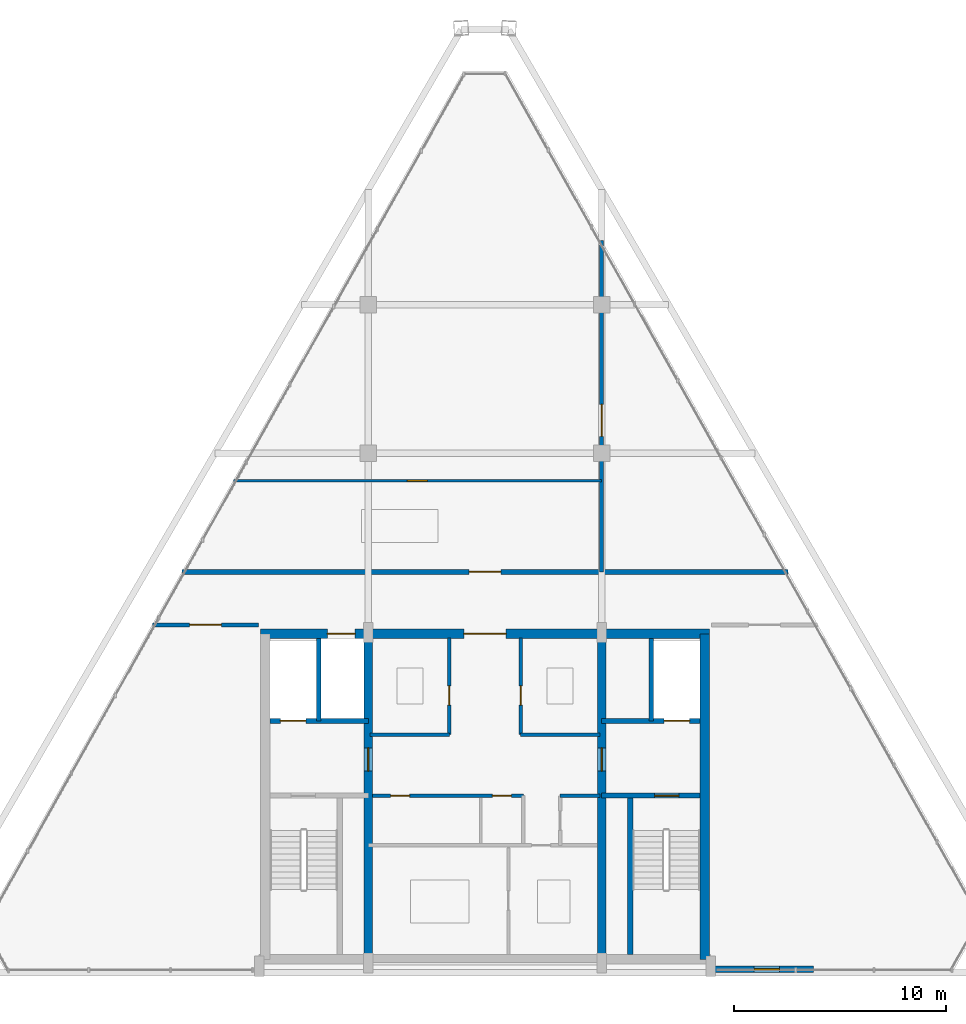
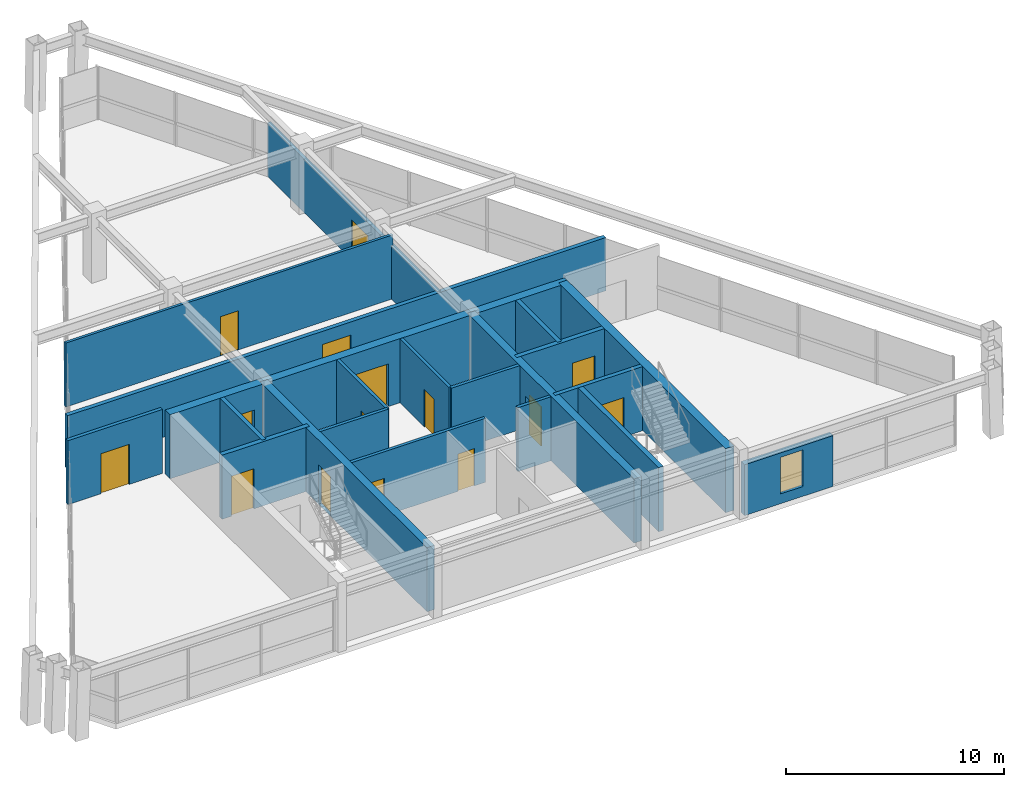
# One storey, part 10 of 12: 21 walls, 15 doors, 1 window, 16 openings.
"""IFC4 building model written with IfcOpenShell, lengths in metres."""

from ifc_helpers import new_model, si_unit, direction, frame, frame_2d, origin, place, context, subcontext, project, spatial, rectangle, extrude, source, transform, mapped, material, layer, layer_set, type_object, type_shapes, element, fill, save


model = new_model("IFC4")

# Units and contexts
model_context = context("Model", 3, precision=1e-05, world=origin(), true_north=direction((0.0, 1.0)))
body_context = subcontext(model_context, "Body", "Model", "MODEL_VIEW")
ifc_project = project(units=[si_unit("LENGTHUNIT", "METRE"), si_unit("AREAUNIT", "SQUARE_METRE"), si_unit("VOLUMEUNIT", "CUBIC_METRE"), si_unit("PLANEANGLEUNIT", "RADIAN"), si_unit("MASSUNIT", "GRAM", prefix="KILO")], contexts=[model_context])

# Site, building, storey
site_placement = place(None, origin())
site = spatial("IfcSite", under=ifc_project, at=site_placement, CompositionType="ELEMENT")
building_placement = place(site_placement, origin())
building = spatial("IfcBuilding", under=site, at=building_placement, Name="Varnakhor Terracotta Tower", CompositionType="ELEMENT")
storey_placement = place(building_placement, frame((0.0, 0.0, 325.300048828125)))
storey = spatial("IfcBuildingStorey", under=building, at=storey_placement, Name="L85 Crown", CompositionType="ELEMENT", Elevation=325.300048828125)

# Wall, openings, doors
ifc_material_1 = material(Name="Concrete C50/60", Category="concrete")
ifc_layer_1 = layer(ifc_material_1, 0.449951171875, Name="Concrete C50/60")
ifc_layer_set_1 = layer_set([ifc_layer_1], Name="Concrete C50/60")
wall_type_1 = type_object("IfcWallType", Name="WAL-CORE-450", PredefinedType="SHEAR", material=ifc_layer_set_1)
wall_1_placement = place(storey_placement, frame((-10.60009765625, 15.97509765625, 0.0), z_axis=(0.0, 0.0, 1.0), x_axis=(1.0, 0.0, 0.0)))
wall_1 = element("IfcWall", 1, at=wall_1_placement, inside=storey, type_object=wall_type_1, Name="L85 Crown North Core Shear Wall", PredefinedType="SHEAR", context=body_context, shape_type="SweptSolid", body=[
    extrude(rectangle(XDim=21.2001953125, YDim=0.449951171875, at=frame_2d((10.60009765625, 0.0))), origin(), (0.0, 0.0, 1.0), 3.599853515625),
])
opening_1_placement = place(wall_1_placement, frame((3.169921875, 0.0, 0.0)))
opening_1 = element("IfcOpeningElement", 2, at=opening_1_placement, cuts=wall_1, Name="Opening LD-03", PredefinedType="OPENING", context=body_context, shape_type="SweptSolid", body=[
    extrude(rectangle(XDim=1.300048828125, YDim=2.300048828125, at=frame_2d((0.64990234375, 1.14990234375))), frame((0.0, 0.23486328125, 0.0), z_axis=(0.0, -1.0, 0.0), x_axis=(1.0, 0.0, 0.0)), (0.0, 0.0, 1.0), 0.469970703125),
])
opening_2_placement = place(wall_1_placement, frame((9.60009765625, 0.0, 0.0)))
opening_2 = element("IfcOpeningElement", 3, at=opening_2_placement, cuts=wall_1, Name="Opening DR-32", PredefinedType="OPENING", context=body_context, shape_type="SweptSolid", body=[
    extrude(rectangle(XDim=2.0, YDim=2.39990234375, at=frame_2d((1.0, 1.199951171875))), frame((0.0, 0.23486328125, 0.0), z_axis=(0.0, -1.0, 0.0), x_axis=(1.0, 0.0, 0.0)), (0.0, 0.0, 1.0), 0.469970703125),
])
ifc_material_2 = material(Name="Heavy-Duty Goods Sliding Lift Landing Door", Category="steel")
door_type_1 = type_object("IfcDoorType", Name="LD-SRV-1300X2300", OperationType="NOTDEFINED", PredefinedType="DOOR", material=ifc_material_2)
shared_shape_1 = source(origin(), body_context, "Body", "SweptSolid", [
    extrude(rectangle(XDim=1.300048828125, YDim=2.300048828125, at=frame_2d((0.64990234375, 1.14990234375))), frame((0.0, 0.02490234375, 0.0), z_axis=(0.0, -1.0, 0.0), x_axis=(1.0, 0.0, 0.0)), (0.0, 0.0, 1.0), 0.050048828125),
])
type_shapes(door_type_1, [shared_shape_1])
door_1_placement = place(opening_1_placement, origin())
door_1 = element("IfcDoor", 4, at=door_1_placement, inside=storey, type_object=door_type_1, Name="L85 Crown Service Lift SVL-1 Landing Door", OperationType="SLIDING_TO_RIGHT", OverallHeight=2.300048828125, OverallWidth=1.300048828125, PredefinedType="DOOR", context=body_context, shape_type="MappedRepresentation", body=[
    mapped(shared_shape_1, transform((0.0, 0.0, 0.0), scale=1.0)),
])
fill(opening_1, door_1)
ifc_material_3 = material(Name="Acoustic Double Assembly Fire Door", Category="wood")
door_type_2 = type_object("IfcDoorType", Name="DR-HALL-2000X2400", OperationType="NOTDEFINED", PredefinedType="DOOR", material=ifc_material_3)
shared_shape_2 = source(origin(), body_context, "Body", "SweptSolid", [
    extrude(rectangle(XDim=2.0, YDim=2.39990234375, at=frame_2d((1.0, 1.199951171875))), frame((0.0, 0.02490234375, 0.0), z_axis=(0.0, -1.0, 0.0), x_axis=(1.0, 0.0, 0.0)), (0.0, 0.0, 1.0), 0.050048828125),
])
type_shapes(door_type_2, [shared_shape_2])
door_2_placement = place(opening_2_placement, origin())
door_2 = element("IfcDoor", 5, at=door_2_placement, inside=storey, type_object=door_type_2, Name="L85 Crown Core Main Lobby Double Door", OperationType="DOUBLE_DOOR_SINGLE_SWING", OverallHeight=2.39990234375, OverallWidth=2.0, PredefinedType="DOOR", context=body_context, shape_type="MappedRepresentation", body=[
    mapped(shared_shape_2, transform((0.0, 0.0, 0.0), scale=1.0)),
])
fill(opening_2, door_2)

# Wall
wall_2_placement = place(storey_placement, frame((10.375, 0.625, 0.0), z_axis=(0.0, 0.0, 1.0), x_axis=(0.0, 1.0, 0.0)))
element("IfcWall", 6, at=wall_2_placement, inside=storey, type_object=wall_type_1, Name="L85 Crown East Core Shear Wall", PredefinedType="SHEAR", context=body_context, shape_type="SweptSolid", body=[
    extrude(rectangle(XDim=15.35009765625, YDim=0.449951171875, at=frame_2d((7.675048828125, 0.0))), origin(), (0.0, 0.0, 1.0), 3.599853515625),
])

# Wall, opening, door
ifc_layer_2 = layer(ifc_material_1, 0.39990234375, Name="Concrete C50/60")
ifc_layer_set_2 = layer_set([ifc_layer_2], Name="Concrete C50/60")
wall_type_2 = type_object("IfcWallType", Name="WAL-CORE-WEB-400", PredefinedType="SHEAR", material=ifc_layer_set_2)
wall_3_placement = place(storey_placement, frame((-5.5, 0.625, 0.0), z_axis=(0.0, 0.0, 1.0), x_axis=(0.0, 1.0, 0.0)))
wall_3 = element("IfcWall", 7, at=wall_3_placement, inside=storey, type_object=wall_type_2, Name="L85 Crown West Core Web Shear Wall", PredefinedType="SHEAR", context=body_context, shape_type="SweptSolid", body=[
    extrude(rectangle(XDim=15.35009765625, YDim=0.39990234375, at=frame_2d((7.675048828125, 0.0))), origin(), (0.0, 0.0, 1.0), 3.599853515625),
])
opening_3_placement = place(wall_3_placement, frame((8.875, 0.0, 0.0)))
opening_3 = element("IfcOpeningElement", 8, at=opening_3_placement, cuts=wall_3, Name="Opening DR-25", PredefinedType="OPENING", context=body_context, shape_type="SweptSolid", body=[
    extrude(rectangle(XDim=1.10009765625, YDim=2.199951171875, at=frame_2d((0.550048828125, 1.10009765625))), frame((0.0, 0.2099609375, 0.0), z_axis=(0.0, -1.0, 0.0), x_axis=(1.0, 0.0, 0.0)), (0.0, 0.0, 1.0), 0.419921875),
])
ifc_material_4 = material(Name="Firefighting Lobby Self-Closing Fire Door", Category="steel")
door_type_3 = type_object("IfcDoorType", Name="DR-FFL-1100X2200", OperationType="NOTDEFINED", PredefinedType="DOOR", material=ifc_material_4)
shared_shape_3 = source(origin(), body_context, "Body", "SweptSolid", [
    extrude(rectangle(XDim=1.10009765625, YDim=2.199951171875, at=frame_2d((0.550048828125, 1.10009765625))), frame((0.0, 0.02490234375, 0.0), z_axis=(0.0, -1.0, 0.0), x_axis=(1.0, 0.0, 0.0)), (0.0, 0.0, 1.0), 0.050048828125),
])
type_shapes(door_type_3, [shared_shape_3])
door_3_placement = place(opening_3_placement, origin())
door_3 = element("IfcDoor", 9, at=door_3_placement, inside=storey, type_object=door_type_3, Name="L85 Crown West Firefighting Lobby Door", OperationType="SINGLE_SWING_LEFT", OverallHeight=2.199951171875, OverallWidth=1.10009765625, PredefinedType="DOOR", context=body_context, shape_type="MappedRepresentation", body=[
    mapped(shared_shape_3, transform((0.0, 0.0, 0.0), scale=1.0)),
])
fill(opening_3, door_3)

wall_4_placement = place(storey_placement, frame((5.5, 0.625, 0.0), z_axis=(0.0, 0.0, 1.0), x_axis=(0.0, 1.0, 0.0)))
wall_4 = element("IfcWall", 10, at=wall_4_placement, inside=storey, type_object=wall_type_2, Name="L85 Crown East Core Web Shear Wall", PredefinedType="SHEAR", context=body_context, shape_type="SweptSolid", body=[
    extrude(rectangle(XDim=15.35009765625, YDim=0.39990234375, at=frame_2d((7.675048828125, 0.0))), origin(), (0.0, 0.0, 1.0), 3.599853515625),
])
opening_4_placement = place(wall_4_placement, frame((8.875, 0.0, 0.0)))
opening_4 = element("IfcOpeningElement", 11, at=opening_4_placement, cuts=wall_4, Name="Opening DR-25", PredefinedType="OPENING", context=body_context, shape_type="SweptSolid", body=[
    extrude(rectangle(XDim=1.10009765625, YDim=2.199951171875, at=frame_2d((0.550048828125, 1.10009765625))), frame((0.0, 0.2099609375, 0.0), z_axis=(0.0, -1.0, 0.0), x_axis=(1.0, 0.0, 0.0)), (0.0, 0.0, 1.0), 0.419921875),
])
door_4_placement = place(opening_4_placement, origin())
door_4 = element("IfcDoor", 12, at=door_4_placement, inside=storey, type_object=door_type_3, Name="L85 Crown East Firefighting Lobby Door", OperationType="SINGLE_SWING_LEFT", OverallHeight=2.199951171875, OverallWidth=1.10009765625, PredefinedType="DOOR", context=body_context, shape_type="MappedRepresentation", body=[
    mapped(shared_shape_3, transform((0.0, 0.0, 0.0), scale=1.0)),
])
fill(opening_4, door_4)

ifc_material_5 = material(Name="Fire-Rated Gypsum Stud Partition", Category="gypsum")
ifc_layer_3 = layer(ifc_material_5, 0.18505859375, Name="Fire-Rated Gypsum Stud Partition")
ifc_layer_set_3 = layer_set([ifc_layer_3], Name="Fire-Rated Gypsum Stud Partition")
wall_type_3 = type_object("IfcWallType", Name="WAL-CORR-185", PredefinedType="PARTITIONING", material=ifc_layer_set_3)
wall_5_placement = place(storey_placement, frame((-15.695068359375, 16.39990234375, 0.0), z_axis=(0.0, 0.0, 1.0), x_axis=(1.0, 0.0, 0.0)))
wall_5 = element("IfcWall", 13, at=wall_5_placement, inside=storey, type_object=wall_type_3, Name="L85 Crown West Plant Wall", PredefinedType="PARTITIONING", context=body_context, shape_type="SweptSolid", body=[
    extrude(rectangle(XDim=5.01513671875, YDim=0.18505859375, at=frame_2d((2.507568359375, 0.0))), origin(), (0.0, 0.0, 1.0), 3.592041015625),
])
opening_5_placement = place(wall_5_placement, frame((1.757568359375, 0.0, 0.0)))
opening_5 = element("IfcOpeningElement", 14, at=opening_5_placement, cuts=wall_5, Name="Opening DR-30", PredefinedType="OPENING", context=body_context, shape_type="SweptSolid", body=[
    extrude(rectangle(XDim=1.5, YDim=2.25, at=frame_2d((0.75, 1.125))), frame((0.0, 0.1025390625, 0.0), z_axis=(0.0, -1.0, 0.0), x_axis=(1.0, 0.0, 0.0)), (0.0, 0.0, 1.0), 0.205078125),
])
ifc_material_6 = material(Name="Double Acoustic Conference Room Door", Category="wood")
door_type_4 = type_object("IfcDoorType", Name="DR-MEET-1500X2250", OperationType="NOTDEFINED", PredefinedType="DOOR", material=ifc_material_6)
shared_shape_4 = source(origin(), body_context, "Body", "SweptSolid", [
    extrude(rectangle(XDim=1.5, YDim=2.25, at=frame_2d((0.75, 1.125))), frame((0.0, 0.02490234375, 0.0), z_axis=(0.0, -1.0, 0.0), x_axis=(1.0, 0.0, 0.0)), (0.0, 0.0, 1.0), 0.050048828125),
])
type_shapes(door_type_4, [shared_shape_4])
door_5_placement = place(opening_5_placement, origin())
door_5 = element("IfcDoor", 15, at=door_5_placement, inside=storey, type_object=door_type_4, Name="L85 Crown West Mechanical Room Door", OperationType="DOUBLE_DOOR_SINGLE_SWING", OverallHeight=2.25, OverallWidth=1.5, PredefinedType="DOOR", context=body_context, shape_type="MappedRepresentation", body=[
    mapped(shared_shape_4, transform((0.0, 0.0, 0.0), scale=1.0)),
])
fill(opening_5, door_5)

wall_6_placement = place(storey_placement, frame((5.5, 18.89990234375, 0.0), z_axis=(0.0, 0.0, 1.0), x_axis=(0.0, 1.0, 0.0)))
wall_6 = element("IfcWall", 16, at=wall_6_placement, inside=storey, type_object=wall_type_3, Name="L85 Crown Crown Plant Division Wall", PredefinedType="PARTITIONING", context=body_context, shape_type="SweptSolid", body=[
    extrude(rectangle(XDim=15.64013671875, YDim=0.18505859375, at=frame_2d((7.820068359375, 0.0))), origin(), (0.0, 0.0, 1.0), 2.991943359375),
])
opening_6_placement = place(wall_6_placement, frame((6.39990234375, 0.0, 0.0)))
opening_6 = element("IfcOpeningElement", 17, at=opening_6_placement, cuts=wall_6, Name="Opening DR-30", PredefinedType="OPENING", context=body_context, shape_type="SweptSolid", body=[
    extrude(rectangle(XDim=1.5, YDim=2.25, at=frame_2d((0.75, 1.125))), frame((0.0, 0.1025390625, 0.0), z_axis=(0.0, -1.0, 0.0), x_axis=(1.0, 0.0, 0.0)), (0.0, 0.0, 1.0), 0.205078125),
])
door_6_placement = place(opening_6_placement, origin())
door_6 = element("IfcDoor", 18, at=door_6_placement, inside=storey, type_object=door_type_4, Name="L85 Crown Crown Plant Door", OperationType="DOUBLE_DOOR_SINGLE_SWING", OverallHeight=2.25, OverallWidth=1.5, PredefinedType="DOOR", context=body_context, shape_type="MappedRepresentation", body=[
    mapped(shared_shape_4, transform((0.0, 0.0, 0.0), scale=1.0)),
])
fill(opening_6, door_6)

# Wall, opening, window
ifc_material_7 = material(Name="Extruded Architectural Terracotta Assembly", Category="masonry")
ifc_layer_4 = layer(ifc_material_7, 0.320068359375, Name="Extruded Architectural Terracotta Assembly")
ifc_layer_set_4 = layer_set([ifc_layer_4], Name="Extruded Architectural Terracotta Assembly")
wall_type_4 = type_object("IfcWallType", Name="WAL-EXT-TERRACOTTA-320", PredefinedType="SOLIDWALL", material=ifc_layer_set_4)
wall_7_placement = place(storey_placement, frame((15.5, 0.159912109375, 0.0), z_axis=(0.0, 0.0, 1.0), x_axis=(-1.0, 0.0, 0.0)))
wall_7 = element("IfcWall", 19, at=wall_7_placement, inside=storey, type_object=wall_type_4, Name="L85 Crown South Crown Terracotta Spandrel Wall", PredefinedType="SOLIDWALL", context=body_context, shape_type="SweptSolid", body=[
    extrude(rectangle(XDim=4.699951171875, YDim=0.320068359375, at=frame_2d((2.35009765625, 0.0))), origin(), (0.0, 0.0, 1.0), 2.849853515625),
])
opening_7_placement = place(wall_7_placement, frame((1.60009765625, 0.0, 0.550048828125)))
opening_7 = element("IfcOpeningElement", 20, at=opening_7_placement, cuts=wall_7, Name="Opening WN-55", PredefinedType="OPENING", context=body_context, shape_type="SweptSolid", body=[
    extrude(rectangle(XDim=1.199951171875, YDim=2.050048828125, at=frame_2d((0.60009765625, 1.02490234375))), frame((0.0, 0.169921875, 0.0), z_axis=(0.0, -1.0, 0.0), x_axis=(1.0, 0.0, 0.0)), (0.0, 0.0, 1.0), 0.340087890625),
])
ifc_material_8 = material(Name="Solar-Control Low-E Insulated Glass Unit", Category="glass")
window_type = type_object("IfcWindowType", Name="WIN-CRN-1200X2200", PartitioningType="SINGLE_PANEL", PredefinedType="WINDOW", material=ifc_material_8)
shared_shape_5 = source(origin(), body_context, "Body", "SweptSolid", [
    extrude(rectangle(XDim=1.199951171875, YDim=2.050048828125, at=frame_2d((0.60009765625, 1.02490234375))), frame((0.0, 0.030029296875, 0.0), z_axis=(0.0, -1.0, 0.0), x_axis=(1.0, 0.0, 0.0)), (0.0, 0.0, 1.0), 0.06005859375),
])
type_shapes(window_type, [shared_shape_5])
window_placement = place(opening_7_placement, origin())
window = element("IfcWindow", 21, at=window_placement, inside=storey, type_object=window_type, Name="L85 Crown Crown Slot Window", OverallHeight=2.050048828125, OverallWidth=1.199951171875, PartitioningType="SINGLE_PANEL", PredefinedType="WINDOW", context=body_context, shape_type="MappedRepresentation", body=[
    mapped(shared_shape_5, transform((0.0, 0.0, 0.0), scale=1.0)),
])
fill(opening_7, window)

# Wall, opening, door
ifc_material_9 = material(Name="Concrete C40/50", Category="concrete")
ifc_layer_5 = layer(ifc_material_9, 0.219970703125, Name="Concrete C40/50")
ifc_layer_set_5 = layer_set([ifc_layer_5], Name="Concrete C40/50")
wall_type_5 = type_object("IfcWallType", Name="WAL-FFLOBBY-220", PredefinedType="SOLIDWALL", material=ifc_layer_set_5)
wall_8_placement = place(storey_placement, frame((10.14990234375, 8.35009765625, 0.0), z_axis=(0.0, 0.0, 1.0), x_axis=(-1.0, 0.0, 0.0)))
wall_8 = element("IfcWall", 22, at=wall_8_placement, inside=storey, type_object=wall_type_5, Name="L85 Crown East Firefighting Lobby Stair Wall", PredefinedType="SOLIDWALL", context=body_context, shape_type="SweptSolid", body=[
    extrude(rectangle(XDim=4.64990234375, YDim=0.219970703125, at=frame_2d((2.324951171875, 0.0))), origin(), (0.0, 0.0, 1.0), 3.599853515625),
])
opening_8_placement = place(wall_8_placement, frame((1.0, 0.0, 0.0)))
opening_8 = element("IfcOpeningElement", 23, at=opening_8_placement, cuts=wall_8, Name="Opening DR-34", PredefinedType="OPENING", context=body_context, shape_type="SweptSolid", body=[
    extrude(rectangle(XDim=1.14990234375, YDim=2.199951171875, at=frame_2d((0.574951171875, 1.10009765625))), frame((0.0, 0.1201171875, 0.0), z_axis=(0.0, -1.0, 0.0), x_axis=(1.0, 0.0, 0.0)), (0.0, 0.0, 1.0), 0.239990234375),
])
ifc_material_10 = material(Name="Self-Closing Smoke-Sealed Steel Fire Door", Category="steel")
door_type_5 = type_object("IfcDoorType", Name="DR-STAIR-1150X2200", OperationType="NOTDEFINED", PredefinedType="DOOR", material=ifc_material_10)
shared_shape_6 = source(origin(), body_context, "Body", "SweptSolid", [
    extrude(rectangle(XDim=1.14990234375, YDim=2.199951171875, at=frame_2d((0.574951171875, 1.10009765625))), frame((0.0, 0.02490234375, 0.0), z_axis=(0.0, -1.0, 0.0), x_axis=(1.0, 0.0, 0.0)), (0.0, 0.0, 1.0), 0.050048828125),
])
type_shapes(door_type_5, [shared_shape_6])
door_7_placement = place(opening_8_placement, origin())
door_7 = element("IfcDoor", 24, at=door_7_placement, inside=storey, type_object=door_type_5, Name="L85 Crown Exit Stair ST-2 Fire Door", OperationType="SINGLE_SWING_RIGHT", OverallHeight=2.199951171875, OverallWidth=1.14990234375, PredefinedType="DOOR", context=body_context, shape_type="MappedRepresentation", body=[
    mapped(shared_shape_6, transform((0.0, 0.0, 0.0), scale=1.0)),
])
fill(opening_8, door_7)

wall_9_placement = place(storey_placement, frame((-14.289794921875, 18.89990234375, 0.0), z_axis=(0.0, 0.0, 1.0), x_axis=(1.0, 0.0, 0.0)))
wall_9 = element("IfcWall", 25, at=wall_9_placement, inside=storey, type_object=wall_type_5, Name="L85 Crown Plant Corridor Wall", PredefinedType="SOLIDWALL", context=body_context, shape_type="SweptSolid", body=[
    extrude(rectangle(XDim=28.57958984375, YDim=0.219970703125, at=frame_2d((14.289794921875, 0.0))), origin(), (0.0, 0.0, 1.0), 2.991943359375),
])
opening_9_placement = place(wall_9_placement, frame((13.539794921875, 0.0, 0.0)))
opening_9 = element("IfcOpeningElement", 26, at=opening_9_placement, cuts=wall_9, Name="Opening DR-30", PredefinedType="OPENING", context=body_context, shape_type="SweptSolid", body=[
    extrude(rectangle(XDim=1.5, YDim=2.25, at=frame_2d((0.75, 1.125))), frame((0.0, 0.1201171875, 0.0), z_axis=(0.0, -1.0, 0.0), x_axis=(1.0, 0.0, 0.0)), (0.0, 0.0, 1.0), 0.239990234375),
])
door_8_placement = place(opening_9_placement, origin())
door_8 = element("IfcDoor", 27, at=door_8_placement, inside=storey, type_object=door_type_4, Name="L85 Crown North Plant Access Door", OperationType="DOUBLE_DOOR_SINGLE_SWING", OverallHeight=2.25, OverallWidth=1.5, PredefinedType="DOOR", context=body_context, shape_type="MappedRepresentation", body=[
    mapped(shared_shape_4, transform((0.0, 0.0, 0.0), scale=1.0)),
])
fill(opening_9, door_8)

ifc_material_11 = material(Name="Acoustic Metal-Stud Partition", Category="gypsum")
ifc_layer_6 = layer(ifc_material_11, 0.139892578125, Name="Acoustic Metal-Stud Partition")
ifc_layer_set_6 = layer_set([ifc_layer_6], Name="Acoustic Metal-Stud Partition")
wall_type_6 = type_object("IfcWallType", Name="WAL-PART-140", PredefinedType="PARTITIONING", material=ifc_layer_set_6)
wall_10_placement = place(storey_placement, frame((-11.873291015625, 23.199951171875, 0.0), z_axis=(0.0, 0.0, 1.0), x_axis=(1.0, 0.0, 0.0)))
wall_10 = element("IfcWall", 28, at=wall_10_placement, inside=storey, type_object=wall_type_6, Name="L85 Crown Crown Sub-Plant Wall", PredefinedType="PARTITIONING", context=body_context, shape_type="SweptSolid", body=[
    extrude(rectangle(XDim=17.373291015625, YDim=0.139892578125, at=frame_2d((8.6865234375, 0.0))), origin(), (0.0, 0.0, 1.0), 3.592041015625),
])
opening_10_placement = place(wall_10_placement, frame((8.211669921875, 0.0, 0.0)))
opening_10 = element("IfcOpeningElement", 29, at=opening_10_placement, cuts=wall_10, Name="Opening DR-94", PredefinedType="OPENING", context=body_context, shape_type="SweptSolid", body=[
    extrude(rectangle(XDim=0.949951171875, YDim=2.199951171875, at=frame_2d((0.47509765625, 1.10009765625))), frame((0.0, 0.080078125, 0.0), z_axis=(0.0, -1.0, 0.0), x_axis=(1.0, 0.0, 0.0)), (0.0, 0.0, 1.0), 0.159912109375),
])
ifc_material_12 = material(Name="Acoustic Glazed-Vision Timber Office Door", Category="wood")
door_type_6 = type_object("IfcDoorType", Name="DR-OFF-950X2200", OperationType="NOTDEFINED", PredefinedType="DOOR", material=ifc_material_12)
shared_shape_7 = source(origin(), body_context, "Body", "SweptSolid", [
    extrude(rectangle(XDim=0.949951171875, YDim=2.199951171875, at=frame_2d((0.47509765625, 1.10009765625))), frame((0.0, 0.02490234375, 0.0), z_axis=(0.0, -1.0, 0.0), x_axis=(1.0, 0.0, 0.0)), (0.0, 0.0, 1.0), 0.050048828125),
])
type_shapes(door_type_6, [shared_shape_7])
door_9_placement = place(opening_10_placement, origin())
door_9 = element("IfcDoor", 30, at=door_9_placement, inside=storey, type_object=door_type_6, Name="L85 Crown Crown Aux Door", OperationType="SINGLE_SWING_LEFT", OverallHeight=2.199951171875, OverallWidth=0.949951171875, PredefinedType="DOOR", context=body_context, shape_type="MappedRepresentation", body=[
    mapped(shared_shape_7, transform((0.0, 0.0, 0.0), scale=1.0)),
])
fill(opening_10, door_9)

# Walls
ifc_layer_7 = layer(ifc_material_9, 0.219970703125, Name="Concrete C40/50")
ifc_layer_set_7 = layer_set([ifc_layer_7], Name="Concrete C40/50")
wall_type_7 = type_object("IfcWallType", Name="WAL-SHAFT-220", PredefinedType="SOLIDWALL", material=ifc_layer_set_7)
for number, where, z_axis, x_axis, name in (
    (31, (-7.840087890625, 11.8701171875, 0.0), (0.0, 0.0, 1.0), (0.0, 1.0, 0.0), "L85 Crown Lift FFL-1 and SVL-1 Divider Wall"),
    (32, (7.840087890625, 11.8701171875, 0.0), (0.0, 0.0, 1.0), (0.0, 1.0, 0.0), "L85 Crown Lift FFL-2 and Riser Divider Wall"),
):
    element("IfcWall", number, at=place(storey_placement, frame(where, z_axis=z_axis, x_axis=x_axis)), inside=storey, type_object=wall_type_7, Name=name, PredefinedType="SOLIDWALL", context=body_context, shape_type="SweptSolid", body=[
        extrude(rectangle(XDim=3.8798828125, YDim=0.219970703125, at=frame_2d((1.93994140625, 0.0))), origin(), (0.0, 0.0, 1.0), 3.599853515625),
    ])

# Wall, opening, door
ifc_layer_8 = layer(ifc_material_9, 0.25, Name="Concrete C40/50")
ifc_layer_set_8 = layer_set([ifc_layer_8], Name="Concrete C40/50")
wall_type_8 = type_object("IfcWallType", Name="WAL-SHAFT-250", PredefinedType="SOLIDWALL", material=ifc_layer_set_8)
wall_11_placement = place(storey_placement, frame((-5.5, 11.8701171875, 0.0), z_axis=(0.0, 0.0, 1.0), x_axis=(-1.0, 0.0, 0.0)))
wall_11 = element("IfcWall", 33, at=wall_11_placement, inside=storey, type_object=wall_type_8, Name="L85 Crown Lift FFL-1 Shaft Front Wall", PredefinedType="SOLIDWALL", context=body_context, shape_type="SweptSolid", body=[
    extrude(rectangle(XDim=4.64990234375, YDim=0.25, at=frame_2d((2.324951171875, 0.0))), origin(), (0.0, 0.0, 1.0), 3.599853515625),
])
opening_11_placement = place(wall_11_placement, frame((2.949951171875, 0.0, 0.0)))
opening_11 = element("IfcOpeningElement", 34, at=opening_11_placement, cuts=wall_11, Name="Opening LD-02", PredefinedType="OPENING", context=body_context, shape_type="SweptSolid", body=[
    extrude(rectangle(XDim=1.199951171875, YDim=2.25, at=frame_2d((0.60009765625, 1.125))), frame((0.0, 0.135009765625, 0.0), z_axis=(0.0, -1.0, 0.0), x_axis=(1.0, 0.0, 0.0)), (0.0, 0.0, 1.0), 0.27001953125),
])
ifc_material_13 = material(Name="Firefighting Stretcher Sliding Lift Landing Door", Category="steel")
door_type_7 = type_object("IfcDoorType", Name="LD-FFL-1200X2250", OperationType="NOTDEFINED", PredefinedType="DOOR", material=ifc_material_13)
shared_shape_8 = source(origin(), body_context, "Body", "SweptSolid", [
    extrude(rectangle(XDim=1.199951171875, YDim=2.25, at=frame_2d((0.60009765625, 1.125))), frame((0.0, 0.02490234375, 0.0), z_axis=(0.0, -1.0, 0.0), x_axis=(1.0, 0.0, 0.0)), (0.0, 0.0, 1.0), 0.050048828125),
])
type_shapes(door_type_7, [shared_shape_8])
door_10_placement = place(opening_11_placement, origin())
door_10 = element("IfcDoor", 35, at=door_10_placement, inside=storey, type_object=door_type_7, Name="L85 Crown Firefighting Lift FFL-1 Landing Door", OperationType="SLIDING_TO_LEFT", OverallHeight=2.25, OverallWidth=1.199951171875, PredefinedType="DOOR", context=body_context, shape_type="MappedRepresentation", body=[
    mapped(shared_shape_8, transform((0.0, 0.0, 0.0), scale=1.0)),
])
fill(opening_11, door_10)

# Wall
wall_12_placement = place(storey_placement, frame((6.85009765625, 0.85009765625, 0.0), z_axis=(0.0, 0.0, 1.0), x_axis=(0.0, 1.0, 0.0)))
element("IfcWall", 36, at=wall_12_placement, inside=storey, type_object=wall_type_8, Name="L85 Crown Stair ST-2 Bearing Shaft Wall", PredefinedType="SOLIDWALL", context=body_context, shape_type="SweptSolid", body=[
    extrude(rectangle(XDim=7.5, YDim=0.25, at=frame_2d((3.75, 0.0))), origin(), (0.0, 0.0, 1.0), 3.599853515625),
])

# Wall, opening, door
wall_13_placement = place(storey_placement, frame((10.14990234375, 11.8701171875, 0.0), z_axis=(0.0, 0.0, 1.0), x_axis=(-1.0, 0.0, 0.0)))
wall_13 = element("IfcWall", 37, at=wall_13_placement, inside=storey, type_object=wall_type_8, Name="L85 Crown Lift FFL-2 Shaft Front Wall", PredefinedType="SOLIDWALL", context=body_context, shape_type="SweptSolid", body=[
    extrude(rectangle(XDim=4.64990234375, YDim=0.25, at=frame_2d((2.324951171875, 0.0))), origin(), (0.0, 0.0, 1.0), 3.599853515625),
])
opening_12_placement = place(wall_13_placement, frame((0.5, 0.0, 0.0)))
opening_12 = element("IfcOpeningElement", 38, at=opening_12_placement, cuts=wall_13, Name="Opening LD-02", PredefinedType="OPENING", context=body_context, shape_type="SweptSolid", body=[
    extrude(rectangle(XDim=1.199951171875, YDim=2.25, at=frame_2d((0.60009765625, 1.125))), frame((0.0, 0.135009765625, 0.0), z_axis=(0.0, -1.0, 0.0), x_axis=(1.0, 0.0, 0.0)), (0.0, 0.0, 1.0), 0.27001953125),
])
door_11_placement = place(opening_12_placement, origin())
door_11 = element("IfcDoor", 39, at=door_11_placement, inside=storey, type_object=door_type_7, Name="L85 Crown Firefighting Lift FFL-2 Landing Door", OperationType="SLIDING_TO_RIGHT", OverallHeight=2.25, OverallWidth=1.199951171875, PredefinedType="DOOR", context=body_context, shape_type="MappedRepresentation", body=[
    mapped(shared_shape_8, transform((0.0, 0.0, 0.0), scale=1.0)),
])
fill(opening_12, door_11)

# Wall
ifc_material_14 = material(Name="Acoustic Fire-Rated Partition", Category="gypsum")
ifc_layer_9 = layer(ifc_material_14, 0.1650390625, Name="Acoustic Fire-Rated Partition")
ifc_layer_set_9 = layer_set([ifc_layer_9], Name="Acoustic Fire-Rated Partition")
wall_type_9 = type_object("IfcWallType", Name="WAL-TENANCY-165", PredefinedType="PARTITIONING", material=ifc_layer_set_9)
wall_14_placement = place(storey_placement, frame((3.5400390625, 8.340087890625, 0.0), z_axis=(0.0, 0.0, 1.0), x_axis=(1.0, 0.0, 0.0)))
element("IfcWall", 40, at=wall_14_placement, inside=storey, type_object=wall_type_9, Name="L85 Crown Accessible WC North Wall", PredefinedType="PARTITIONING", context=body_context, shape_type="SweptSolid", body=[
    extrude(rectangle(XDim=1.8798828125, YDim=0.1650390625, at=frame_2d((0.93994140625, 0.0))), origin(), (0.0, 0.0, 1.0), 3.592041015625),
])

# Wall, openings, doors
wall_15_placement = place(storey_placement, frame((-5.300048828125, 8.35009765625, 0.0), z_axis=(0.0, 0.0, 1.0), x_axis=(1.0, 0.0, 0.0)))
wall_15 = element("IfcWall", 41, at=wall_15_placement, inside=storey, type_object=wall_type_9, Name="L85 Crown Reclaimed Mid-Core North Wall", PredefinedType="PARTITIONING", context=body_context, shape_type="SweptSolid", body=[
    extrude(rectangle(XDim=7.1201171875, YDim=0.1650390625, at=frame_2d((3.56005859375, 0.0))), origin(), (0.0, 0.0, 1.0), 3.592041015625),
])
opening_13_placement = place(wall_15_placement, frame((0.85009765625, 0.0, 0.0)))
opening_13 = element("IfcOpeningElement", 42, at=opening_13_placement, cuts=wall_15, Name="Opening DR-67", PredefinedType="OPENING", context=body_context, shape_type="SweptSolid", body=[
    extrude(rectangle(XDim=0.89990234375, YDim=2.10009765625, at=frame_2d((0.449951171875, 1.050048828125))), frame((0.0, 0.092529296875, 0.0), z_axis=(0.0, -1.0, 0.0), x_axis=(1.0, 0.0, 0.0)), (0.0, 0.0, 1.0), 0.18505859375),
])
opening_14_placement = place(wall_15_placement, frame((5.64990234375, 0.0, 0.0)))
opening_14 = element("IfcOpeningElement", 43, at=opening_14_placement, cuts=wall_15, Name="Opening DR-67", PredefinedType="OPENING", context=body_context, shape_type="SweptSolid", body=[
    extrude(rectangle(XDim=0.89990234375, YDim=2.10009765625, at=frame_2d((0.449951171875, 1.050048828125))), frame((0.0, 0.092529296875, 0.0), z_axis=(0.0, -1.0, 0.0), x_axis=(1.0, 0.0, 0.0)), (0.0, 0.0, 1.0), 0.18505859375),
])
ifc_material_15 = material(Name="Steel Service Riser Fire Door", Category="steel")
door_type_8 = type_object("IfcDoorType", Name="DR-RISER-900X2100", OperationType="NOTDEFINED", PredefinedType="DOOR", material=ifc_material_15)
shared_shape_9 = source(origin(), body_context, "Body", "SweptSolid", [
    extrude(rectangle(XDim=0.89990234375, YDim=2.10009765625, at=frame_2d((0.449951171875, 1.050048828125))), frame((0.0, 0.02490234375, 0.0), z_axis=(0.0, -1.0, 0.0), x_axis=(1.0, 0.0, 0.0)), (0.0, 0.0, 1.0), 0.050048828125),
])
type_shapes(door_type_8, [shared_shape_9])
door_12_placement = place(opening_13_placement, origin())
door_12 = element("IfcDoor", 44, at=door_12_placement, inside=storey, type_object=door_type_8, Name="L85 Crown Core West Restroom Door", OperationType="SINGLE_SWING_LEFT", OverallHeight=2.10009765625, OverallWidth=0.89990234375, PredefinedType="DOOR", context=body_context, shape_type="MappedRepresentation", body=[
    mapped(shared_shape_9, transform((0.0, 0.0, 0.0), scale=1.0)),
])
fill(opening_13, door_12)
door_13_placement = place(opening_14_placement, origin())
door_13 = element("IfcDoor", 45, at=door_13_placement, inside=storey, type_object=door_type_8, Name="L85 Crown Core East Restroom Door", OperationType="SINGLE_SWING_RIGHT", OverallHeight=2.10009765625, OverallWidth=0.89990234375, PredefinedType="DOOR", context=body_context, shape_type="MappedRepresentation", body=[
    mapped(shared_shape_9, transform((0.0, 0.0, 0.0), scale=1.0)),
])
fill(opening_14, door_13)

# Wall, opening, door
wall_16_placement = place(storey_placement, frame((-1.679931640625, 11.219970703125, 0.0), z_axis=(0.0, 0.0, 1.0), x_axis=(0.0, 1.0, 0.0)))
wall_16 = element("IfcWall", 46, at=wall_16_placement, inside=storey, type_object=wall_type_9, Name="L85 Crown Core North West Rated Wall", PredefinedType="PARTITIONING", context=body_context, shape_type="SweptSolid", body=[
    extrude(rectangle(XDim=4.56005859375, YDim=0.1650390625, at=frame_2d((2.280029296875, 0.0))), origin(), (0.0, 0.0, 1.0), 3.592041015625),
])
opening_15_placement = place(wall_16_placement, frame((1.39990234375, 0.0, 0.0)))
opening_15 = element("IfcOpeningElement", 47, at=opening_15_placement, cuts=wall_16, Name="Opening DR-67", PredefinedType="OPENING", context=body_context, shape_type="SweptSolid", body=[
    extrude(rectangle(XDim=0.89990234375, YDim=2.10009765625, at=frame_2d((0.449951171875, 1.050048828125))), frame((0.0, 0.092529296875, 0.0), z_axis=(0.0, -1.0, 0.0), x_axis=(1.0, 0.0, 0.0)), (0.0, 0.0, 1.0), 0.18505859375),
])
door_14_placement = place(opening_15_placement, origin())
door_14 = element("IfcDoor", 48, at=door_14_placement, inside=storey, type_object=door_type_8, Name="L85 Crown Lift Motor Room Door", OperationType="SINGLE_SWING_LEFT", OverallHeight=2.10009765625, OverallWidth=0.89990234375, PredefinedType="DOOR", context=body_context, shape_type="MappedRepresentation", body=[
    mapped(shared_shape_9, transform((0.0, 0.0, 0.0), scale=1.0)),
])
fill(opening_15, door_14)

# Wall
wall_17_placement = place(storey_placement, frame((-5.419921875, 11.219970703125, 0.0), z_axis=(0.0, 0.0, 1.0), x_axis=(1.0, 0.0, 0.0)))
element("IfcWall", 49, at=wall_17_placement, inside=storey, type_object=wall_type_9, Name="L85 Crown Core North West South Wall", PredefinedType="PARTITIONING", context=body_context, shape_type="SweptSolid", body=[
    extrude(rectangle(XDim=3.739990234375, YDim=0.1650390625, at=frame_2d((1.8701171875, 0.0))), origin(), (0.0, 0.0, 1.0), 3.592041015625),
])

# Wall, opening, door
wall_18_placement = place(storey_placement, frame((1.679931640625, 11.219970703125, 0.0), z_axis=(0.0, 0.0, 1.0), x_axis=(0.0, 1.0, 0.0)))
wall_18 = element("IfcWall", 50, at=wall_18_placement, inside=storey, type_object=wall_type_9, Name="L85 Crown Core North East Rated Wall", PredefinedType="PARTITIONING", context=body_context, shape_type="SweptSolid", body=[
    extrude(rectangle(XDim=4.56005859375, YDim=0.1650390625, at=frame_2d((2.280029296875, 0.0))), origin(), (0.0, 0.0, 1.0), 3.592041015625),
])
opening_16_placement = place(wall_18_placement, frame((1.39990234375, 0.0, 0.0)))
opening_16 = element("IfcOpeningElement", 51, at=opening_16_placement, cuts=wall_18, Name="Opening DR-67", PredefinedType="OPENING", context=body_context, shape_type="SweptSolid", body=[
    extrude(rectangle(XDim=0.89990234375, YDim=2.10009765625, at=frame_2d((0.449951171875, 1.050048828125))), frame((0.0, 0.092529296875, 0.0), z_axis=(0.0, -1.0, 0.0), x_axis=(1.0, 0.0, 0.0)), (0.0, 0.0, 1.0), 0.18505859375),
])
door_15_placement = place(opening_16_placement, origin())
door_15 = element("IfcDoor", 52, at=door_15_placement, inside=storey, type_object=door_type_8, Name="L85 Crown Control Room Door", OperationType="SINGLE_SWING_RIGHT", OverallHeight=2.10009765625, OverallWidth=0.89990234375, PredefinedType="DOOR", context=body_context, shape_type="MappedRepresentation", body=[
    mapped(shared_shape_9, transform((0.0, 0.0, 0.0), scale=1.0)),
])
fill(opening_16, door_15)

# Wall
wall_19_placement = place(storey_placement, frame((1.679931640625, 11.219970703125, 0.0), z_axis=(0.0, 0.0, 1.0), x_axis=(1.0, 0.0, 0.0)))
element("IfcWall", 53, at=wall_19_placement, inside=storey, type_object=wall_type_9, Name="L85 Crown Core North East South Wall", PredefinedType="PARTITIONING", context=body_context, shape_type="SweptSolid", body=[
    extrude(rectangle(XDim=3.739990234375, YDim=0.1650390625, at=frame_2d((1.8701171875, 0.0))), origin(), (0.0, 0.0, 1.0), 3.592041015625),
])

save(model, "model.ifc")
